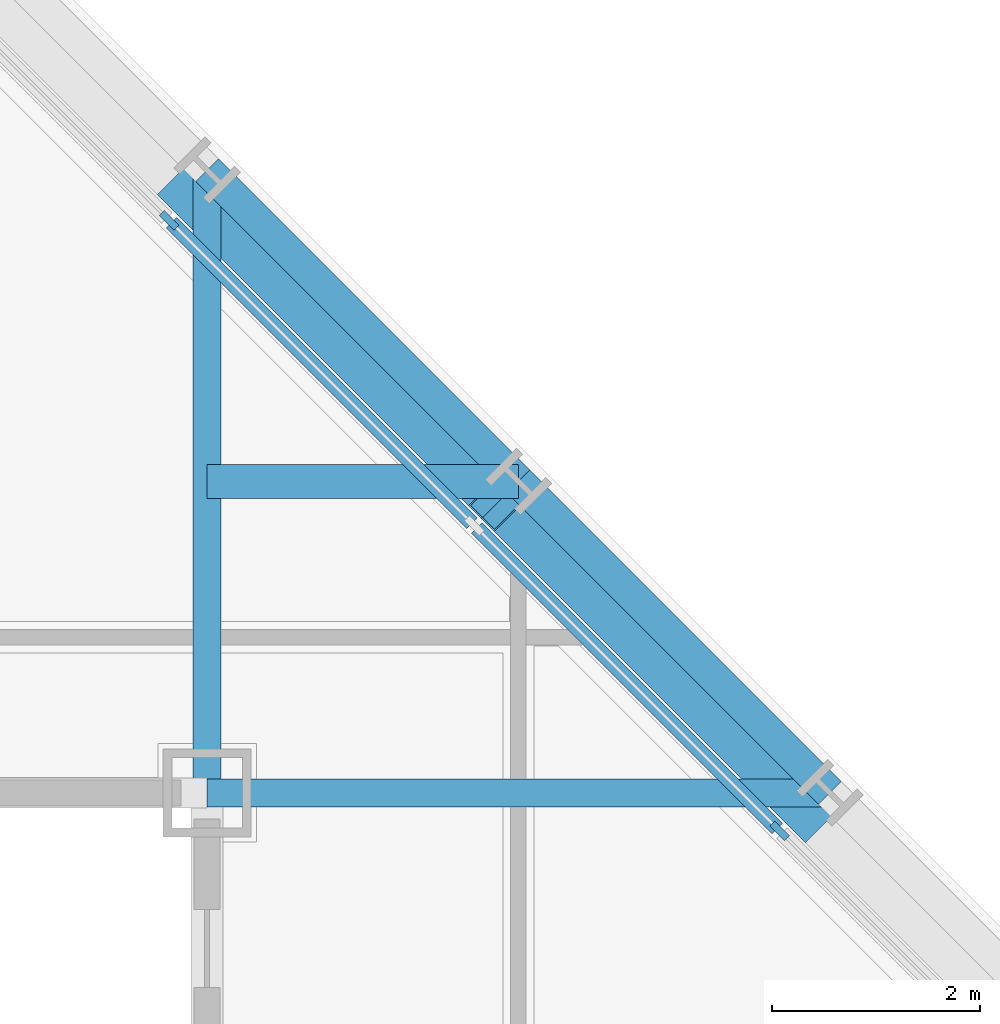
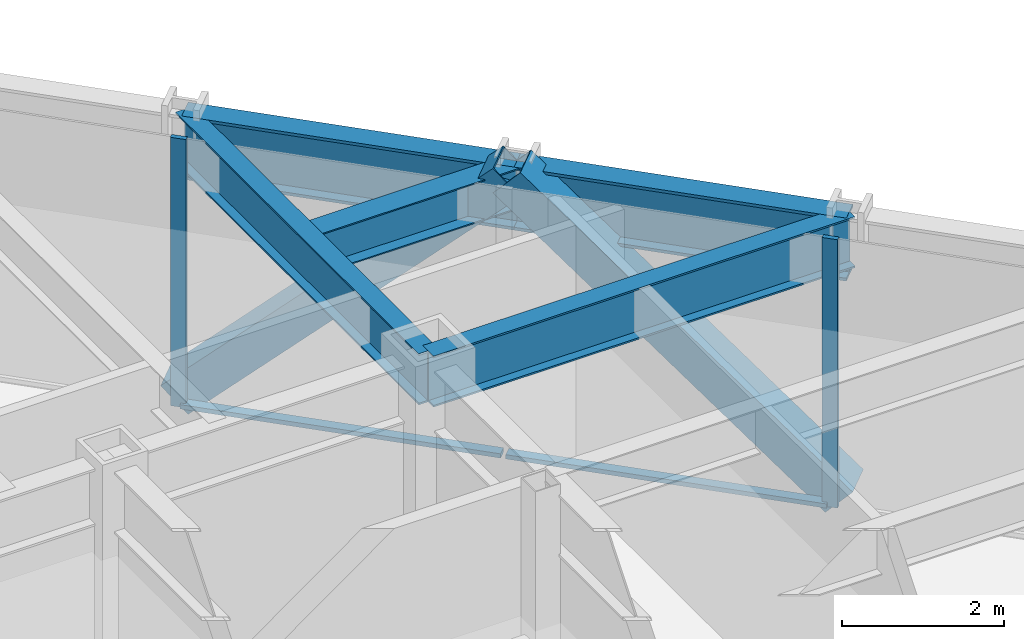
# One storey, part 8 of 16: 6 members, 5 beams, 1 element without a shape of its own.
"""IFC4 building model written with IfcOpenShell, lengths in metres."""

from ifc_helpers import new_model, si_unit, direction, frame, origin, origin_2d, place, context, subcontext, project, spatial, rectangle, hollow_rectangle, i_section, extrude, material, layer, layer_set, material_profile, profile_set, type_object, element, aggregate, save


model = new_model("IFC4")

# Units and contexts
model_context = context("Model", 3, precision=1e-05, world=origin(), true_north=direction((0.0, 1.0)))
body_context = subcontext(model_context, "Body", "Model", "MODEL_VIEW")
ifc_project = project(units=[si_unit("LENGTHUNIT", "METRE"), si_unit("AREAUNIT", "SQUARE_METRE"), si_unit("VOLUMEUNIT", "CUBIC_METRE"), si_unit("PLANEANGLEUNIT", "RADIAN"), si_unit("MASSUNIT", "GRAM", prefix="KILO")], contexts=[model_context])

# Site, building, storey
site_placement = place(None, origin())
site = spatial("IfcSite", under=ifc_project, at=site_placement, CompositionType="ELEMENT")
building_placement = place(site_placement, origin())
building = spatial("IfcBuilding", under=site, at=building_placement, Name="Chuquiago Exchange Tower", CompositionType="ELEMENT")
storey_placement = place(building_placement, frame((0.0, 0.0, 140.39990234375)))
storey = spatial("IfcBuildingStorey", under=building, at=storey_placement, Name="L30", CompositionType="ELEMENT", Elevation=140.39990234375)

# Beam
ifc_material_1 = material(Name="Steel ASTM A992", Category="steel")
ifc_material_profile_1 = material_profile(ifc_material_1, i_section(OverallWidth=0.3251953125, OverallDepth=0.612060546875, WebThickness=0.0126953125, FlangeThickness=0.01904296875, at=origin_2d()), Name="W24X104")
ifc_profile_set_1 = profile_set([ifc_material_profile_1], Name="Steel ASTM A992")
beam_type_1 = type_object("IfcBeamType", Name="B2 W24X104", PredefinedType="BEAM", material=ifc_profile_set_1)
beam_placement = place(storey_placement, frame((33.0, 36.0, 3.73388671875), z_axis=(1.0, 0.0, 0.0), x_axis=(0.0, 1.0, 0.0)))
element("IfcBeam", 1, at=beam_placement, inside=storey, type_object=beam_type_1, Name="FB-L31-corner-33_36-36_36-0", PredefinedType="BEAM", context=body_context, shape_type="SweptSolid", body=[
    extrude(i_section(OverallWidth=0.3251953125, OverallDepth=0.612060546875, WebThickness=0.0126953125, FlangeThickness=0.01904296875, at=origin_2d()), origin(), (0.0, 0.0, 1.0), 3.0),
])

# Curtain wall, members
ifc_material_2 = material(Name="Aluminium curtain wall system", Category="aluminium")
ifc_layer = layer(ifc_material_2, 0.199951171875)
ifc_layer_set = layer_set([ifc_layer], Name="CW3 facet curtain wall")
curtain_wall_type = type_object("IfcCurtainWallType", Name="CW3 facet curtain wall", PredefinedType="NOTDEFINED", material=ifc_layer_set)
curtain_wall_placement = place(storey_placement, origin())
curtain_wall = element("IfcCurtainWall", 2, at=curtain_wall_placement, inside=storey, type_object=curtain_wall_type, Name="CW3 curtain wall L30", PredefinedType="NOTDEFINED")
ifc_material_3 = material(Name="Aluminium mullion, pale anodised", Category="aluminium")
ifc_material_profile_2 = material_profile(ifc_material_3, rectangle(XDim=0.06494140625, YDim=0.199951171875, at=origin_2d()), Name="AL 65x200")
ifc_profile_set_2 = profile_set([ifc_material_profile_2], Name="Aluminium mullion, pale anodised")
member_type_1 = type_object("IfcMemberType", Name="CW3-M mullion 65x200", PredefinedType="MULLION", material=ifc_profile_set_2)
member_1_placement = place(storey_placement, frame((38.51708984375, 32.63427734375, 0.0), z_axis=(0.0, 0.0, 1.0), x_axis=(-0.707106781187, -0.707106781187, 0.0)))
member_1 = element("IfcMember", 3, at=member_1_placement, type_object=member_type_1, Name="CW3 mullion 3", PredefinedType="MULLION", context=body_context, shape_type="SweptSolid", body=[
    extrude(rectangle(XDim=0.06494140625, YDim=0.199951171875, at=origin_2d()), origin(), (0.0, 0.0, 1.0), 4.0400390625),
])
member_2_placement = place(storey_placement, frame((32.63427734375, 38.51708984375, 0.0), z_axis=(0.0, 0.0, 1.0), x_axis=(-0.707106781187, -0.707106781187, 0.0)))
member_2 = element("IfcMember", 4, at=member_2_placement, type_object=member_type_1, Name="CW3 mullion 5", PredefinedType="MULLION", context=body_context, shape_type="SweptSolid", body=[
    extrude(rectangle(XDim=0.06494140625, YDim=0.199951171875, at=origin_2d()), origin(), (0.0, 0.0, 1.0), 4.0400390625),
])
ifc_material_4 = material(Name="Aluminium transom, pale anodised", Category="aluminium")
ifc_material_profile_3 = material_profile(ifc_material_4, rectangle(XDim=0.139892578125, YDim=0.06494140625, at=origin_2d()), Name="AL 140x65")
ifc_profile_set_3 = profile_set([ifc_material_profile_3], Name="Aluminium transom, pale anodised")
member_type_2 = type_object("IfcMemberType", Name="CW3-T transom 65x140", PredefinedType="MULLION", material=ifc_profile_set_3)
member_3_placement = place(storey_placement, frame((38.494140625, 32.6572265625, 0.03271484375), z_axis=(-0.707106781187, 0.707106781187, 0.0), x_axis=(-0.707106781187, -0.707106781187, 0.0)))
member_3 = element("IfcMember", 5, at=member_3_placement, type_object=member_type_2, Name="CW3 transom 3.1", PredefinedType="MULLION", context=body_context, shape_type="SweptSolid", body=[
    extrude(rectangle(XDim=0.139892578125, YDim=0.06494140625, at=origin_2d()), origin(), (0.0, 0.0, 1.0), 4.094970703125),
])
member_4_placement = place(storey_placement, frame((35.552734375, 35.5986328125, 0.03271484375), z_axis=(-0.707106781187, 0.707106781187, 0.0), x_axis=(-0.707106781187, -0.707106781187, 0.0)))
member_4 = element("IfcMember", 6, at=member_4_placement, type_object=member_type_2, Name="CW3 transom 4.1", PredefinedType="MULLION", context=body_context, shape_type="SweptSolid", body=[
    extrude(rectangle(XDim=0.139892578125, YDim=0.06494140625, at=origin_2d()), origin(), (0.0, 0.0, 1.0), 4.094970703125),
])
aggregate(curtain_wall, [member_1, member_2, member_3, member_4])

# Beams
ifc_material_5 = material(Name="Steel ASTM A992", Category="steel")
ifc_material_profile_4 = material_profile(ifc_material_5, i_section(OverallWidth=0.2666015625, OverallDepth=0.76953125, WebThickness=0.015625, FlangeThickness=0.025390625, at=origin_2d()), Name="W30X132")
ifc_profile_set_4 = profile_set([ifc_material_profile_4], Name="Steel ASTM A992")
beam_type_2 = type_object("IfcBeamType", Name="G1 W30X132", PredefinedType="BEAM", material=ifc_profile_set_4)
for number, where, z_axis, x_axis, name in (
    (7, (33.0, 33.0, 3.6552734375), (0.0, 1.0, 0.0), (-1.0, 0.0, 0.0), "FB-L31-girder-33_33-33_39-0"),
    (8, (33.0, 33.0, 3.6552734375), (1.0, 0.0, 0.0), (0.0, 1.0, 0.0), "FB-L31-girder-33_33-39_33-0"),
):
    element("IfcBeam", number, at=place(storey_placement, frame(where, z_axis=z_axis, x_axis=x_axis)), inside=storey, type_object=beam_type_2, Name=name, PredefinedType="BEAM", context=body_context, shape_type="SweptSolid", body=[
        extrude(i_section(OverallWidth=0.2666015625, OverallDepth=0.76953125, WebThickness=0.015625, FlangeThickness=0.025390625, at=origin_2d()), origin(), (0.0, 0.0, 1.0), 6.0),
    ])

# Members
ifc_material_6 = material(Name="Steel ASTM A500 Grade C", Category="steel")
ifc_material_profile_5 = material_profile(ifc_material_6, hollow_rectangle(XDim=0.508056640625, YDim=0.508056640625, WallThickness=0.017822265625, at=origin_2d()), Name="HSS20X20X3/4")
ifc_profile_set_5 = profile_set([ifc_material_profile_5], Name="Steel ASTM A500 Grade C")
member_type_3 = type_object("IfcMemberType", Name="LB1 HSS20X20X3/4", PredefinedType="BRACE", material=ifc_profile_set_5)
for number, where, z_axis, x_axis, name in (
    (9, (38.822509765625, 32.822509765625, 0.0), (-0.512077265487, 0.512077265487, 0.689604051861), (-0.707106781187, -0.707106781187, 0.0), "LB-L30-39_33-36_36"),
    (10, (32.822509765625, 38.822509765625, 0.0), (0.512077265487, -0.512077265487, 0.689604051861), (0.707106781187, 0.707106781187, 0.0), "LB-L30-36_36-33_39"),
):
    element("IfcMember", number, at=place(storey_placement, frame(where, z_axis=z_axis, x_axis=x_axis)), inside=storey, type_object=member_type_3, Name=name, PredefinedType="BRACE", context=body_context, shape_type="SweptSolid", body=[
        extrude(hollow_rectangle(XDim=0.508056640625, YDim=0.508056640625, WallThickness=0.017822265625, at=origin_2d()), origin(), (0.0, 0.0, 1.0), 5.8583984375),
    ])

# Beams
ifc_material_7 = material(Name="Steel ASTM A992", Category="steel")
ifc_material_profile_6 = material_profile(ifc_material_7, i_section(OverallWidth=0.309814453125, OverallDepth=0.949951171875, WebThickness=0.0244140625, FlangeThickness=0.0439453125, at=origin_2d()), Name="W36X256")
ifc_profile_set_6 = profile_set([ifc_material_profile_6], Name="Steel ASTM A992")
beam_type_3 = type_object("IfcBeamType", Name="SP2 W36X256", PredefinedType="SPANDREL", material=ifc_profile_set_6)
for number, where, z_axis, x_axis, name in (
    (11, (39.0, 33.0, 3.565185546875), (-0.707106781187, 0.707106781187, 0.0), (-0.707106781187, -0.707106781187, 0.0), "SPB-L31-39_33-36_36"),
    (12, (36.0, 36.0, 3.565185546875), (-0.707106781187, 0.707106781187, 0.0), (-0.707106781187, -0.707106781187, 0.0), "SPB-L31-36_36-33_39"),
):
    element("IfcBeam", number, at=place(storey_placement, frame(where, z_axis=z_axis, x_axis=x_axis)), inside=storey, type_object=beam_type_3, Name=name, PredefinedType="SPANDREL", context=body_context, shape_type="SweptSolid", body=[
        extrude(i_section(OverallWidth=0.309814453125, OverallDepth=0.949951171875, WebThickness=0.0244140625, FlangeThickness=0.0439453125, at=origin_2d()), origin(), (0.0, 0.0, 1.0), 4.24267578125),
    ])

save(model, "model.ifc")
